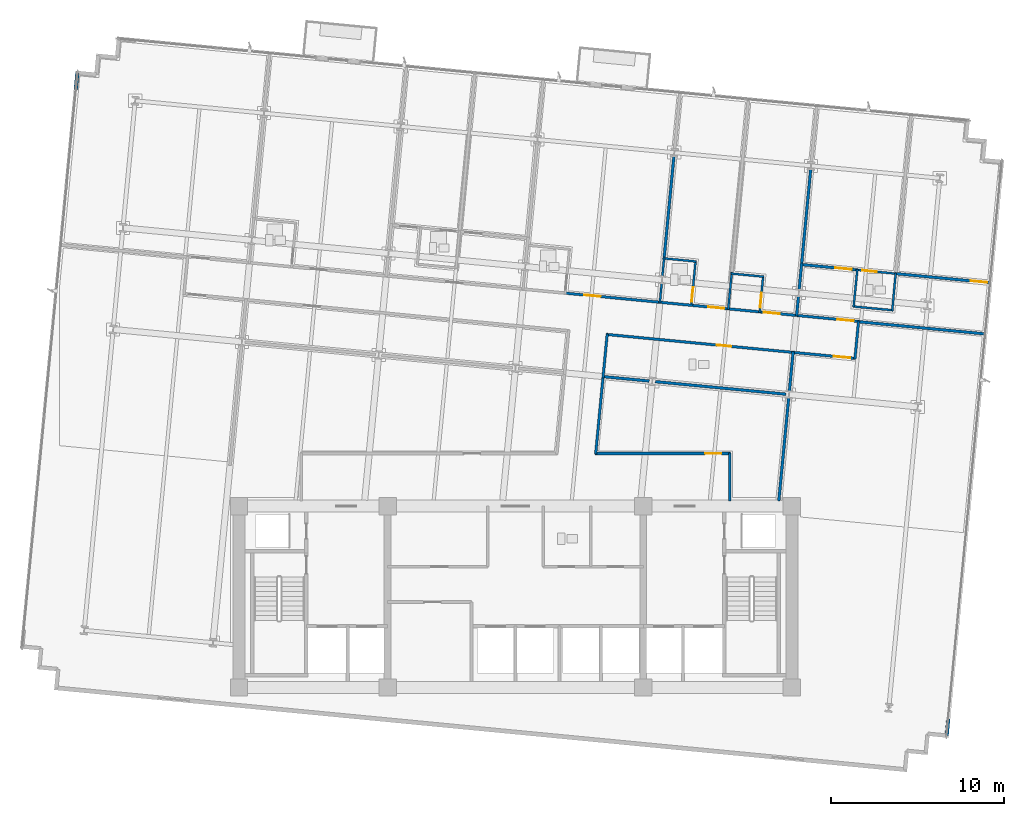
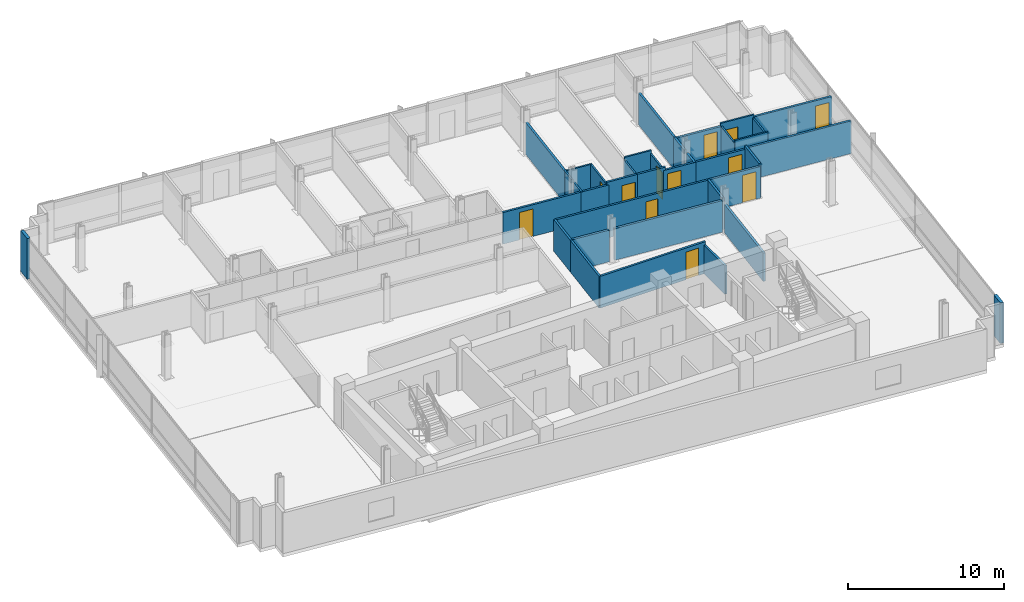
# One storey, part 12 of 17: 37 walls, 12 doors, 12 openings.
"""IFC4 building model written with IfcOpenShell, lengths in metres."""

from ifc_helpers import new_model, si_unit, direction, frame, frame_2d, origin, place, context, subcontext, project, spatial, rectangle, extrude, material, layer, layer_set, type_object, element, fill, save


model = new_model("IFC4")

# Units and contexts
model_context = context("Model", 3, precision=1e-05, world=origin(), true_north=direction((0.0, 1.0)))
body_context = subcontext(model_context, "Body", "Model", "MODEL_VIEW")
ifc_project = project(units=[si_unit("LENGTHUNIT", "METRE"), si_unit("AREAUNIT", "SQUARE_METRE"), si_unit("VOLUMEUNIT", "CUBIC_METRE"), si_unit("PLANEANGLEUNIT", "RADIAN"), si_unit("MASSUNIT", "GRAM", prefix="KILO")], contexts=[model_context])

# Site, building, storey
site_placement = place(None, origin())
site = spatial("IfcSite", under=ifc_project, at=site_placement, CompositionType="ELEMENT")
building_placement = place(site_placement, origin())
building = spatial("IfcBuilding", under=site, at=building_placement, Name="Solmavex Isthmus Hotel", CompositionType="ELEMENT")
storey_placement = place(building_placement, frame((0.0, 0.0, 146.25)))
storey = spatial("IfcBuildingStorey", under=building, at=storey_placement, Name="L39", CompositionType="ELEMENT", Elevation=146.25)

# Walls
ifc_material_1 = material(Name="Precast Concrete C40/50", Category="concrete")
ifc_layer_1 = layer(ifc_material_1, 0.25)
ifc_layer_set_1 = layer_set([ifc_layer_1], Name="Precast Concrete C40/50")
wall_type_1 = type_object("IfcWallType", Name="EW-TWR-250", PredefinedType="STANDARD", material=ifc_layer_set_1)
wall_1_placement = place(storey_placement, frame((-25.46142578125, 21.60498046875, 0.0), z_axis=(0.0, 0.0, 1.0), x_axis=(0.095937974524, 0.995387314086, 0.0)))
element("IfcWall", 1, at=wall_1_placement, inside=storey, type_object=wall_type_1, Name="Serrated Corner Facade Panel L39-07", PredefinedType="STANDARD", context=body_context, shape_type="SweptSolid", body=[
    extrude(rectangle(XDim=0.989990234375, YDim=0.219970703125, at=frame_2d((0.4951171875, 0.0))), origin(), (0.0, 0.0, 1.0), 3.18994140625),
])
wall_2_placement = place(storey_placement, frame((25.0615234375, -14.804931640625, 0.0), z_axis=(0.0, 0.0, 1.0), x_axis=(-0.095914428506, -0.995389583231, 0.0)))
element("IfcWall", 2, at=wall_2_placement, inside=storey, type_object=wall_type_1, Name="Serrated Corner Facade Panel L39-21", PredefinedType="STANDARD", context=body_context, shape_type="SweptSolid", body=[
    extrude(rectangle(XDim=0.990234375, YDim=0.219970703125, at=frame_2d((0.4951171875, 0.0))), origin(), (0.0, 0.0, 1.0), 3.18994140625),
])
ifc_material_2 = material(Name="Gypsum plasterboard lining", Category="gypsum")
ifc_layer_2 = layer(ifc_material_2, 0.159912109375)
ifc_layer_set_2 = layer_set([ifc_layer_2], Name="Gypsum plasterboard lining")
wall_type_2 = type_object("IfcWallType", Name="IW-COMP-160", PredefinedType="PARTITIONING", material=ifc_layer_set_2)
wall_3_placement = place(storey_placement, frame((9.178466796875, 17.791259765625, 0.0), z_axis=(0.0, 0.0, 1.0), x_axis=(-0.095826863488, -0.995398016993, 0.0)))
element("IfcWall", 3, at=wall_3_placement, inside=storey, type_object=wall_type_2, Name="Interior Partition Wall W-L39-P050", PredefinedType="PARTITIONING", context=body_context, shape_type="SweptSolid", body=[
    extrude(rectangle(XDim=6.055908203125, YDim=0.159912109375, at=frame_2d((3.02783203125, 0.0))), origin(), (0.0, 0.0, 1.0), 2.4794921875),
])
wall_4_placement = place(storey_placement, frame((16.389404296875, 9.6708984375, 0.0), z_axis=(0.0, 0.0, 1.0), x_axis=(-0.095811626391, -0.995399483749, 0.0)))
element("IfcWall", 4, at=wall_4_placement, inside=storey, type_object=wall_type_2, Name="Interior Partition Wall W-L39-P060", PredefinedType="PARTITIONING", context=body_context, shape_type="SweptSolid", body=[
    extrude(rectangle(XDim=1.172119140625, YDim=0.159912109375, at=frame_2d((0.5859375, 0.0))), origin(), (0.0, 0.0, 1.0), 2.4794921875),
])
wall_5_placement = place(storey_placement, frame((16.572265625, 11.570068359375, 0.0), z_axis=(0.0, 0.0, 1.0), x_axis=(-0.095867871334, -0.99539406832, 0.0)))
element("IfcWall", 5, at=wall_5_placement, inside=storey, type_object=wall_type_2, Name="Interior Partition Wall W-L39-P061", PredefinedType="PARTITIONING", context=body_context, shape_type="SweptSolid", body=[
    extrude(rectangle(XDim=1.555908203125, YDim=0.159912109375, at=frame_2d((0.77783203125, 0.0))), origin(), (0.0, 0.0, 1.0), 2.4794921875),
])
wall_6_placement = place(storey_placement, frame((17.097900390625, 17.02880859375, 0.0), z_axis=(0.0, 0.0, 1.0), x_axis=(-0.095831010877, -0.995397617716, 0.0)))
element("IfcWall", 6, at=wall_6_placement, inside=storey, type_object=wall_type_2, Name="Interior Partition Wall W-L39-P062", PredefinedType="PARTITIONING", context=body_context, shape_type="SweptSolid", body=[
    extrude(rectangle(XDim=5.64794921875, YDim=0.159912109375, at=frame_2d((2.823974609375, 0.0))), origin(), (0.0, 0.0, 1.0), 2.4794921875),
])

# Wall, opening, door
wall_7_placement = place(storey_placement, frame((16.524658203125, 11.4921875, 0.0), z_axis=(0.0, 0.0, 1.0), x_axis=(0.995395561935, -0.095852361889, 0.0)))
wall_7 = element("IfcWall", 7, at=wall_7_placement, inside=storey, type_object=wall_type_2, Name="Interior Partition Wall W-L39-P064", PredefinedType="PARTITIONING", context=body_context, shape_type="SweptSolid", body=[
    extrude(rectangle(XDim=3.323974609375, YDim=0.159912109375, at=frame_2d((1.662109375, 0.0))), origin(), (0.0, 0.0, 1.0), 2.4794921875),
])
opening_1_placement = place(wall_7_placement, frame((2.00439453125, 0.0, 0.0)))
opening_1 = element("IfcOpeningElement", 8, at=opening_1_placement, cuts=wall_7, Name="Opening ID-C095", PredefinedType="OPENING", context=body_context, shape_type="SweptSolid", body=[
    extrude(rectangle(XDim=0.949951171875, YDim=2.14990234375, at=frame_2d((0.47509765625, 1.074951171875))), frame((0.0, 0.08984375, 0.0), z_axis=(0.0, -1.0, 0.0), x_axis=(1.0, 0.0, 0.0)), (0.0, 0.0, 1.0), 0.179931640625),
])
ifc_material_3 = material(Name="Hardwood timber", Category="wood")
door_type_1 = type_object("IfcDoorType", Name="IDR-FD60-0950", OperationType="NOTDEFINED", PredefinedType="DOOR", material=ifc_material_3)
door_1_placement = place(opening_1_placement, origin())
door_1 = element("IfcDoor", 9, at=door_1_placement, inside=storey, type_object=door_type_1, Name="Diplomatic Hospitality Suite Bedroom Door L39-15", OperationType="SINGLE_SWING_LEFT", OverallHeight=2.14990234375, OverallWidth=0.949951171875, PredefinedType="DOOR", context=body_context, shape_type="SweptSolid", body=[
    extrude(rectangle(XDim=0.949951171875, YDim=2.14990234375, at=frame_2d((0.47509765625, 1.074951171875))), frame((0.0, 0.02490234375, 0.0), z_axis=(0.0, -1.0, 0.0), x_axis=(1.0, 0.0, 0.0)), (0.0, 0.0, 1.0), 0.050048828125),
])
fill(opening_1, door_1)

wall_8_placement = place(storey_placement, frame((21.973388671875, 10.967529296875, 0.0), z_axis=(0.0, 0.0, 1.0), x_axis=(0.99539730528, -0.095834256092, 0.0)))
wall_8 = element("IfcWall", 10, at=wall_8_placement, inside=storey, type_object=wall_type_2, Name="Interior Partition Wall W-L39-P065", PredefinedType="PARTITIONING", context=body_context, shape_type="SweptSolid", body=[
    extrude(rectangle(XDim=5.573974609375, YDim=0.159912109375, at=frame_2d((2.787109375, 0.0))), origin(), (0.0, 0.0, 1.0), 2.5576171875),
])
opening_2_placement = place(wall_8_placement, frame((4.4140625, 0.0, 0.0)))
opening_2 = element("IfcOpeningElement", 11, at=opening_2_placement, cuts=wall_8, Name="Opening ID-C095", PredefinedType="OPENING", context=body_context, shape_type="SweptSolid", body=[
    extrude(rectangle(XDim=0.949951171875, YDim=2.14990234375, at=frame_2d((0.47509765625, 1.074951171875))), frame((0.0, 0.08984375, 0.0), z_axis=(0.0, -1.0, 0.0), x_axis=(1.0, 0.0, 0.0)), (0.0, 0.0, 1.0), 0.179931640625),
])
door_2_placement = place(opening_2_placement, origin())
door_2 = element("IfcDoor", 12, at=door_2_placement, inside=storey, type_object=door_type_1, Name="Diplomatic Hospitality Suite Sitting Lounge Door L39-16", OperationType="SINGLE_SWING_RIGHT", OverallHeight=2.14990234375, OverallWidth=0.949951171875, PredefinedType="DOOR", context=body_context, shape_type="SweptSolid", body=[
    extrude(rectangle(XDim=0.949951171875, YDim=2.14990234375, at=frame_2d((0.47509765625, 1.074951171875))), frame((0.0, 0.02490234375, 0.0), z_axis=(0.0, -1.0, 0.0), x_axis=(1.0, 0.0, 0.0)), (0.0, 0.0, 1.0), 0.050048828125),
])
fill(opening_2, door_2)

# Walls
wall_9_placement = place(storey_placement, frame((27.236328125, 7.468994140625, 0.0), z_axis=(0.0, 0.0, 1.0), x_axis=(-0.995396228159, 0.095845443117, 0.0)))
element("IfcWall", 13, at=wall_9_placement, inside=storey, type_object=wall_type_2, Name="Interior Partition Wall W-L39-P069", PredefinedType="PARTITIONING", context=body_context, shape_type="SweptSolid", body=[
    extrude(rectangle(XDim=7.447998046875, YDim=0.159912109375, at=frame_2d((3.72412109375, 0.0))), origin(), (0.0, 0.0, 1.0), 2.5576171875),
])
wall_10_placement = place(storey_placement, frame((7.745361328125, 4.74462890625, 0.0), z_axis=(0.0, 0.0, 1.0), x_axis=(-0.995392910691, 0.095879890208, 0.0)))
element("IfcWall", 14, at=wall_10_placement, inside=storey, type_object=wall_type_2, Name="Interior Partition Wall W-L39-P072", PredefinedType="PARTITIONING", context=body_context, shape_type="SweptSolid", body=[
    extrude(rectangle(XDim=2.721923828125, YDim=0.159912109375, at=frame_2d((1.36083984375, 0.0))), origin(), (0.0, 0.0, 1.0), 2.4794921875),
])
wall_11_placement = place(storey_placement, frame((15.664794921875, 3.982177734375, 0.0), z_axis=(0.0, 0.0, 1.0), x_axis=(-0.995396667246, 0.095840882902, 0.0)))
element("IfcWall", 15, at=wall_11_placement, inside=storey, type_object=wall_type_2, Name="Interior Partition Wall W-L39-P073", PredefinedType="PARTITIONING", context=body_context, shape_type="SweptSolid", body=[
    extrude(rectangle(XDim=7.603759765625, YDim=0.159912109375, at=frame_2d((3.8017578125, 0.0))), origin(), (0.0, 0.0, 1.0), 2.4794921875),
])
wall_12_placement = place(storey_placement, frame((16.07861328125, 6.44384765625, 0.0), z_axis=(0.0, 0.0, 1.0), x_axis=(-0.095794827695, -0.995401100555, 0.0)))
element("IfcWall", 16, at=wall_12_placement, inside=storey, type_object=wall_type_2, Name="Interior Partition Wall W-L39-P074", PredefinedType="PARTITIONING", context=body_context, shape_type="SweptSolid", body=[
    extrude(rectangle(XDim=2.314208984375, YDim=0.159912109375, at=frame_2d((1.1572265625, 0.0))), origin(), (0.0, 0.0, 1.0), 2.4794921875),
])
wall_13_placement = place(storey_placement, frame((15.8232421875, 3.7900390625, 0.0), z_axis=(0.0, 0.0, 1.0), x_axis=(-0.095865726078, -0.99539427493, 0.0)))
element("IfcWall", 17, at=wall_13_placement, inside=storey, type_object=wall_type_2, Name="Interior Partition Wall W-L39-P079", PredefinedType="PARTITIONING", context=body_context, shape_type="SweptSolid", body=[
    extrude(rectangle(XDim=6.007568359375, YDim=0.159912109375, at=frame_2d((3.00390625, 0.0))), origin(), (0.0, 0.0, 1.0), 2.22509765625),
])

# Wall, opening, door
ifc_layer_3 = layer(ifc_material_2, 0.14990234375)
ifc_layer_set_3 = layer_set([ifc_layer_3], Name="Gypsum plasterboard lining")
wall_type_3 = type_object("IfcWallType", Name="IW-CORR-150", PredefinedType="PARTITIONING", material=ifc_layer_set_3)
wall_14_placement = place(storey_placement, frame((2.79931640625, 9.84228515625, 0.0), z_axis=(0.0, 0.0, 1.0), x_axis=(0.995395844771, -0.095849424686, 0.0)))
wall_14 = element("IfcWall", 18, at=wall_14_placement, inside=storey, type_object=wall_type_3, Name="Interior Partition Wall W-L39-P005", PredefinedType="PARTITIONING", context=body_context, shape_type="SweptSolid", body=[
    extrude(rectangle(XDim=5.669921875, YDim=0.14990234375, at=frame_2d((2.8349609375, 0.0))), origin(), (0.0, 0.0, 1.0), 2.4794921875),
])
opening_3_placement = place(wall_14_placement, frame((1.18603515625, 0.0, 0.0)))
opening_3 = element("IfcOpeningElement", 19, at=opening_3_placement, cuts=wall_14, Name="Opening ID-C095", PredefinedType="OPENING", context=body_context, shape_type="SweptSolid", body=[
    extrude(rectangle(XDim=0.949951171875, YDim=2.14990234375, at=frame_2d((0.47509765625, 1.074951171875))), frame((0.0, 0.0849609375, 0.0), z_axis=(0.0, -1.0, 0.0), x_axis=(1.0, 0.0, 0.0)), (0.0, 0.0, 1.0), 0.169921875),
])
door_3_placement = place(opening_3_placement, frame((0.949951171875, 0.0, 0.0), z_axis=(0.0, 0.0, 1.0), x_axis=(-1.0, 0.0, 0.0)))
door_3 = element("IfcDoor", 20, at=door_3_placement, inside=storey, type_object=door_type_1, Name="Diplomatic Suite Door L39-08", OperationType="SINGLE_SWING_RIGHT", OverallHeight=2.14990234375, OverallWidth=0.949951171875, PredefinedType="DOOR", context=body_context, shape_type="SweptSolid", body=[
    extrude(rectangle(XDim=0.949951171875, YDim=2.14990234375, at=frame_2d((0.47509765625, 1.074951171875))), frame((0.0, 0.02490234375, 0.0), z_axis=(0.0, -1.0, 0.0), x_axis=(1.0, 0.0, 0.0)), (0.0, 0.0, 1.0), 0.050048828125),
])
fill(opening_3, door_3)

wall_15_placement = place(storey_placement, frame((10.101318359375, 9.13916015625, 0.0), z_axis=(0.0, 0.0, 1.0), x_axis=(0.995393345625, -0.095875374756, 0.0)))
wall_15 = element("IfcWall", 21, at=wall_15_placement, inside=storey, type_object=wall_type_3, Name="Interior Partition Wall W-L39-P007", PredefinedType="PARTITIONING", context=body_context, shape_type="SweptSolid", body=[
    extrude(rectangle(XDim=2.312255859375, YDim=0.14990234375, at=frame_2d((1.15625, 0.0))), origin(), (0.0, 0.0, 1.0), 2.718017578125),
])
opening_4_placement = place(wall_15_placement, frame((1.05615234375, 0.0, 0.0)))
opening_4 = element("IfcOpeningElement", 22, at=opening_4_placement, cuts=wall_15, Name="Opening ID-C095", PredefinedType="OPENING", context=body_context, shape_type="SweptSolid", body=[
    extrude(rectangle(XDim=0.949951171875, YDim=2.14990234375, at=frame_2d((0.47509765625, 1.074951171875))), frame((0.0, 0.0849609375, 0.0), z_axis=(0.0, -1.0, 0.0), x_axis=(1.0, 0.0, 0.0)), (0.0, 0.0, 1.0), 0.169921875),
])
door_4_placement = place(opening_4_placement, frame((0.949951171875, 0.0, 0.0), z_axis=(0.0, 0.0, 1.0), x_axis=(-1.0, 0.0, 0.0)))
door_4 = element("IfcDoor", 23, at=door_4_placement, inside=storey, type_object=door_type_1, Name="Junior Suite Door L39-10", OperationType="SINGLE_SWING_RIGHT", OverallHeight=2.14990234375, OverallWidth=0.949951171875, PredefinedType="DOOR", context=body_context, shape_type="SweptSolid", body=[
    extrude(rectangle(XDim=0.949951171875, YDim=2.14990234375, at=frame_2d((0.47509765625, 1.074951171875))), frame((0.0, 0.02490234375, 0.0), z_axis=(0.0, -1.0, 0.0), x_axis=(1.0, 0.0, 0.0)), (0.0, 0.0, 1.0), 0.050048828125),
])
fill(opening_4, door_4)

# Wall
wall_16_placement = place(storey_placement, frame((8.280029296875, 9.314453125, 0.0), z_axis=(0.0, 0.0, 1.0), x_axis=(0.995393086543, -0.095878064554, 0.0)))
element("IfcWall", 24, at=wall_16_placement, inside=storey, type_object=wall_type_3, Name="Interior Partition Wall W-L39-P008", PredefinedType="PARTITIONING", context=body_context, shape_type="SweptSolid", body=[
    extrude(rectangle(XDim=1.993896484375, YDim=0.14990234375, at=frame_2d((0.9970703125, 0.0))), origin(), (0.0, 0.0, 1.0), 2.4794921875),
])

# Wall, opening, door
wall_17_placement = place(storey_placement, frame((14.06103515625, 8.7578125, 0.0), z_axis=(0.0, 0.0, 1.0), x_axis=(0.995393345625, -0.095875374756, 0.0)))
wall_17 = element("IfcWall", 25, at=wall_17_placement, inside=storey, type_object=wall_type_3, Name="Interior Partition Wall W-L39-P009", PredefinedType="PARTITIONING", context=body_context, shape_type="SweptSolid", body=[
    extrude(rectangle(XDim=2.312255859375, YDim=0.14990234375, at=frame_2d((1.15625, 0.0))), origin(), (0.0, 0.0, 1.0), 2.4794921875),
])
opening_5_placement = place(wall_17_placement, frame((0.30615234375, 0.0, 0.0)))
opening_5 = element("IfcOpeningElement", 26, at=opening_5_placement, cuts=wall_17, Name="Opening ID-C095", PredefinedType="OPENING", context=body_context, shape_type="SweptSolid", body=[
    extrude(rectangle(XDim=0.949951171875, YDim=2.14990234375, at=frame_2d((0.47509765625, 1.074951171875))), frame((0.0, 0.0849609375, 0.0), z_axis=(0.0, -1.0, 0.0), x_axis=(1.0, 0.0, 0.0)), (0.0, 0.0, 1.0), 0.169921875),
])
door_5_placement = place(opening_5_placement, frame((0.949951171875, 0.0, 0.0), z_axis=(0.0, 0.0, 1.0), x_axis=(-1.0, 0.0, 0.0)))
door_5 = element("IfcDoor", 27, at=door_5_placement, inside=storey, type_object=door_type_1, Name="Deluxe Twin Room Door L39-12", OperationType="SINGLE_SWING_RIGHT", OverallHeight=2.14990234375, OverallWidth=0.949951171875, PredefinedType="DOOR", context=body_context, shape_type="SweptSolid", body=[
    extrude(rectangle(XDim=0.949951171875, YDim=2.14990234375, at=frame_2d((0.47509765625, 1.074951171875))), frame((0.0, 0.02490234375, 0.0), z_axis=(0.0, -1.0, 0.0), x_axis=(1.0, 0.0, 0.0)), (0.0, 0.0, 1.0), 0.050048828125),
])
fill(opening_5, door_5)

# Wall
wall_18_placement = place(storey_placement, frame((12.239501953125, 8.93310546875, 0.0), z_axis=(0.0, 0.0, 1.0), x_axis=(0.995405888026, -0.095745068196, 0.0)))
element("IfcWall", 28, at=wall_18_placement, inside=storey, type_object=wall_type_3, Name="Interior Partition Wall W-L39-P010", PredefinedType="PARTITIONING", context=body_context, shape_type="SweptSolid", body=[
    extrude(rectangle(XDim=1.994140625, YDim=0.14990234375, at=frame_2d((0.9970703125, 0.0))), origin(), (0.0, 0.0, 1.0), 2.718017578125),
])

# Wall, opening, door
wall_19_placement = place(storey_placement, frame((16.19921875, 8.552001953125, 0.0), z_axis=(0.0, 0.0, 1.0), x_axis=(0.995391104887, -0.095898635608, 0.0)))
wall_19 = element("IfcWall", 29, at=wall_19_placement, inside=storey, type_object=wall_type_3, Name="Interior Partition Wall W-L39-P011", PredefinedType="PARTITIONING", context=body_context, shape_type="SweptSolid", body=[
    extrude(rectangle(XDim=3.721923828125, YDim=0.14990234375, at=frame_2d((1.86083984375, 0.0))), origin(), (0.0, 0.0, 1.0), 2.4794921875),
])
opening_6_placement = place(wall_19_placement, frame((2.456787109375, 0.0, 0.0)))
opening_6 = element("IfcOpeningElement", 30, at=opening_6_placement, cuts=wall_19, Name="Opening ID-C095", PredefinedType="OPENING", context=body_context, shape_type="SweptSolid", body=[
    extrude(rectangle(XDim=0.949951171875, YDim=2.14990234375, at=frame_2d((0.47509765625, 1.074951171875))), frame((0.0, 0.0849609375, 0.0), z_axis=(0.0, -1.0, 0.0), x_axis=(1.0, 0.0, 0.0)), (0.0, 0.0, 1.0), 0.169921875),
])
door_6_placement = place(opening_6_placement, frame((0.949951171875, 0.0, 0.0), z_axis=(0.0, 0.0, 1.0), x_axis=(-1.0, 0.0, 0.0)))
door_6 = element("IfcDoor", 31, at=door_6_placement, inside=storey, type_object=door_type_1, Name="Diplomatic Hospitality Suite Reception Foyer Door L39-14", OperationType="SINGLE_SWING_RIGHT", OverallHeight=2.14990234375, OverallWidth=0.949951171875, PredefinedType="DOOR", context=body_context, shape_type="SweptSolid", body=[
    extrude(rectangle(XDim=0.949951171875, YDim=2.14990234375, at=frame_2d((0.47509765625, 1.074951171875))), frame((0.0, 0.02490234375, 0.0), z_axis=(0.0, -1.0, 0.0), x_axis=(1.0, 0.0, 0.0)), (0.0, 0.0, 1.0), 0.050048828125),
])
fill(opening_6, door_6)

wall_20_placement = place(storey_placement, frame((16.156494140625, 6.39599609375, 0.0), z_axis=(0.0, 0.0, 1.0), x_axis=(-0.99539478422, 0.095860437863, 0.0)))
wall_20 = element("IfcWall", 32, at=wall_20_placement, inside=storey, type_object=wall_type_3, Name="Interior Partition Wall W-L39-P012", PredefinedType="PARTITIONING", context=body_context, shape_type="SweptSolid", body=[
    extrude(rectangle(XDim=10.93603515625, YDim=0.14990234375, at=frame_2d((5.468017578125, 0.0))), origin(), (0.0, 0.0, 1.0), 2.4794921875),
])
opening_7_placement = place(wall_20_placement, frame((3.675048828125, 0.0, 0.0)))
opening_7 = element("IfcOpeningElement", 33, at=opening_7_placement, cuts=wall_20, Name="Opening ID-R085", PredefinedType="OPENING", context=body_context, shape_type="SweptSolid", body=[
    extrude(rectangle(XDim=0.85009765625, YDim=2.050048828125, at=frame_2d((0.425048828125, 1.02490234375))), frame((0.0, 0.0849609375, 0.0), z_axis=(0.0, -1.0, 0.0), x_axis=(1.0, 0.0, 0.0)), (0.0, 0.0, 1.0), 0.169921875),
])
ifc_material_4 = material(Name="Steel ASTM A500 Grade C", Category="steel")
door_type_2 = type_object("IfcDoorType", Name="IDR-FD60-0850", OperationType="NOTDEFINED", PredefinedType="DOOR", material=ifc_material_4)
door_7_placement = place(opening_7_placement, frame((0.85009765625, 0.0, 0.0), z_axis=(0.0, 0.0, 1.0), x_axis=(-1.0, 0.0, 0.0)))
door_7 = element("IfcDoor", 34, at=door_7_placement, inside=storey, type_object=door_type_2, Name="Accessible Public Restroom WC Door L39-18", OperationType="SINGLE_SWING_RIGHT", OverallHeight=2.050048828125, OverallWidth=0.85009765625, PredefinedType="DOOR", context=body_context, shape_type="SweptSolid", body=[
    extrude(rectangle(XDim=0.85009765625, YDim=2.050048828125, at=frame_2d((0.425048828125, 1.02490234375))), frame((0.0, 0.02490234375, 0.0), z_axis=(0.0, -1.0, 0.0), x_axis=(1.0, 0.0, 0.0)), (0.0, 0.0, 1.0), 0.050048828125),
])
fill(opening_7, door_7)

# Walls
wall_21_placement = place(storey_placement, frame((5.314453125, 7.480224609375, 0.0), z_axis=(0.0, 0.0, 1.0), x_axis=(-0.09587519517, -0.995393362923, 0.0)))
element("IfcWall", 35, at=wall_21_placement, inside=storey, type_object=wall_type_3, Name="Interior Partition Wall W-L39-P013", PredefinedType="PARTITIONING", context=body_context, shape_type="SweptSolid", body=[
    extrude(rectangle(XDim=2.572021484375, YDim=0.14990234375, at=frame_2d((1.2861328125, 0.0))), origin(), (0.0, 0.0, 1.0), 2.4794921875),
])
wall_22_placement = place(storey_placement, frame((5.083740234375, 5.083251953125, 0.0), z_axis=(0.0, 0.0, 1.0), x_axis=(-0.095867331855, -0.995394120277, 0.0)))
element("IfcWall", 36, at=wall_22_placement, inside=storey, type_object=wall_type_3, Name="Interior Partition Wall W-L39-P016", PredefinedType="PARTITIONING", context=body_context, shape_type="SweptSolid", body=[
    extrude(rectangle(XDim=4.59423828125, YDim=0.14990234375, at=frame_2d((2.297119140625, 0.0))), origin(), (0.0, 0.0, 1.0), 2.4794921875),
])

# Wall, opening, door
wall_23_placement = place(storey_placement, frame((4.607177734375, 0.550048828125, 0.0), z_axis=(0.0, 0.0, 1.0), x_axis=(1.0, 0.0, 0.0)))
wall_23 = element("IfcWall", 37, at=wall_23_placement, inside=storey, type_object=wall_type_3, Name="Interior Partition Wall W-L39-P017", PredefinedType="PARTITIONING", context=body_context, shape_type="SweptSolid", body=[
    extrude(rectangle(XDim=7.832763671875, YDim=0.14990234375, at=frame_2d((3.91650390625, 0.0))), origin(), (0.0, 0.0, 1.0), 2.4794921875),
])
opening_8_placement = place(wall_23_placement, frame((6.3720703125, 0.0, 0.0)))
opening_8 = element("IfcOpeningElement", 38, at=opening_8_placement, cuts=wall_23, Name="Opening ID-C095", PredefinedType="OPENING", context=body_context, shape_type="SweptSolid", body=[
    extrude(rectangle(XDim=0.949951171875, YDim=2.14990234375, at=frame_2d((0.47509765625, 1.074951171875))), frame((0.0, 0.0849609375, 0.0), z_axis=(0.0, -1.0, 0.0), x_axis=(1.0, 0.0, 0.0)), (0.0, 0.0, 1.0), 0.169921875),
])
door_8_placement = place(opening_8_placement, origin())
door_8 = element("IfcDoor", 39, at=door_8_placement, inside=storey, type_object=door_type_1, Name="Tea Ceremony Lounge Door L39-20", OperationType="SINGLE_SWING_RIGHT", OverallHeight=2.14990234375, OverallWidth=0.949951171875, PredefinedType="DOOR", context=body_context, shape_type="SweptSolid", body=[
    extrude(rectangle(XDim=0.949951171875, YDim=2.14990234375, at=frame_2d((0.47509765625, 1.074951171875))), frame((0.0, 0.02490234375, 0.0), z_axis=(0.0, -1.0, 0.0), x_axis=(1.0, 0.0, 0.0)), (0.0, 0.0, 1.0), 0.050048828125),
])
fill(opening_8, door_8)

# Walls
wall_24_placement = place(storey_placement, frame((12.39990234375, 0.590087890625, 0.0), z_axis=(0.0, 0.0, 1.0), x_axis=(0.0, -1.0, 0.0)))
element("IfcWall", 40, at=wall_24_placement, inside=storey, type_object=wall_type_3, Name="Interior Partition Wall W-L39-P018", PredefinedType="PARTITIONING", context=body_context, shape_type="SweptSolid", body=[
    extrude(rectangle(XDim=2.780029296875, YDim=0.14990234375, at=frame_2d((1.39013671875, 0.0))), origin(), (0.0, 0.0, 1.0), 2.22509765625),
])
wall_25_placement = place(storey_placement, frame((19.8662109375, 8.218994140625, 0.0), z_axis=(0.0, 0.0, 1.0), x_axis=(-0.095773447772, -0.995403157872, 0.0)))
element("IfcWall", 41, at=wall_25_placement, inside=storey, type_object=wall_type_3, Name="Interior Partition Wall W-L39-P019", PredefinedType="PARTITIONING", context=body_context, shape_type="SweptSolid", body=[
    extrude(rectangle(XDim=2.210205078125, YDim=0.14990234375, at=frame_2d((1.10498046875, 0.0))), origin(), (0.0, 0.0, 1.0), 2.718017578125),
])

# Wall, opening, door
wall_26_placement = place(storey_placement, frame((19.697998046875, 6.05517578125, 0.0), z_axis=(0.0, 0.0, 1.0), x_axis=(-0.995397364202, 0.095833644092, 0.0)))
wall_26 = element("IfcWall", 42, at=wall_26_placement, inside=storey, type_object=wall_type_3, Name="Interior Partition Wall W-L39-P020", PredefinedType="PARTITIONING", context=body_context, shape_type="SweptSolid", body=[
    extrude(rectangle(XDim=3.721923828125, YDim=0.14990234375, at=frame_2d((1.86083984375, 0.0))), origin(), (0.0, 0.0, 1.0), 2.4794921875),
])
opening_9_placement = place(wall_26_placement, frame((0.315185546875, 0.0, 0.0)))
opening_9 = element("IfcOpeningElement", 43, at=opening_9_placement, cuts=wall_26, Name="Opening ID-C095", PredefinedType="OPENING", context=body_context, shape_type="SweptSolid", body=[
    extrude(rectangle(XDim=0.949951171875, YDim=2.14990234375, at=frame_2d((0.47509765625, 1.074951171875))), frame((0.0, 0.0849609375, 0.0), z_axis=(0.0, -1.0, 0.0), x_axis=(1.0, 0.0, 0.0)), (0.0, 0.0, 1.0), 0.169921875),
])
door_9_placement = place(opening_9_placement, frame((0.949951171875, 0.0, 0.0), z_axis=(0.0, 0.0, 1.0), x_axis=(-1.0, 0.0, 0.0)))
door_9 = element("IfcDoor", 44, at=door_9_placement, inside=storey, type_object=door_type_1, Name="Executive Hospitality Lounge Door L39-21", OperationType="SINGLE_SWING_LEFT", OverallHeight=2.14990234375, OverallWidth=0.949951171875, PredefinedType="DOOR", context=body_context, shape_type="SweptSolid", body=[
    extrude(rectangle(XDim=0.949951171875, YDim=2.14990234375, at=frame_2d((0.47509765625, 1.074951171875))), frame((0.0, 0.02490234375, 0.0), z_axis=(0.0, -1.0, 0.0), x_axis=(1.0, 0.0, 0.0)), (0.0, 0.0, 1.0), 0.050048828125),
])
fill(opening_9, door_9)

# Walls
ifc_layer_4 = layer(ifc_material_2, 0.1201171875)
ifc_layer_set_4 = layer_set([ifc_layer_4], Name="Gypsum plasterboard lining")
wall_type_4 = type_object("IfcWallType", Name="IW-PART-120", PredefinedType="PARTITIONING", material=ifc_layer_set_4)
wall_27_placement = place(storey_placement, frame((8.469970703125, 10.433349609375, 0.0), z_axis=(0.0, 0.0, 1.0), x_axis=(-0.095831494917, -0.995397571115, 0.0)))
element("IfcWall", 45, at=wall_27_placement, inside=storey, type_object=wall_type_4, Name="Interior Partition Wall W-L39-P052", PredefinedType="PARTITIONING", context=body_context, shape_type="SweptSolid", body=[
    extrude(rectangle(XDim=1.171875, YDim=0.1201171875, at=frame_2d((0.5859375, 0.0))), origin(), (0.0, 0.0, 1.0), 2.4794921875),
])
wall_28_placement = place(storey_placement, frame((8.61376953125, 11.926513671875, 0.0), z_axis=(0.0, 0.0, 1.0), x_axis=(-0.09590284245, -0.99539069958, 0.0)))
element("IfcWall", 46, at=wall_28_placement, inside=storey, type_object=wall_type_4, Name="Interior Partition Wall W-L39-P053", PredefinedType="PARTITIONING", context=body_context, shape_type="SweptSolid", body=[
    extrude(rectangle(XDim=1.148193359375, YDim=0.1201171875, at=frame_2d((0.57421875, 0.0))), origin(), (0.0, 0.0, 1.0), 2.4794921875),
])

# Wall, opening, door
wall_29_placement = place(storey_placement, frame((10.17919921875, 9.09130859375, 0.0), z_axis=(0.0, 0.0, 1.0), x_axis=(0.095799078022, 0.995400691506, 0.0)))
wall_29 = element("IfcWall", 47, at=wall_29_placement, inside=storey, type_object=wall_type_4, Name="Interior Partition Wall W-L39-P054", PredefinedType="PARTITIONING", context=body_context, shape_type="SweptSolid", body=[
    extrude(rectangle(XDim=2.630126953125, YDim=0.1201171875, at=frame_2d((1.31494140625, 0.0))), origin(), (0.0, 0.0, 1.0), 2.4794921875),
])
opening_10_placement = place(wall_29_placement, frame((0.247314453125, 0.0, 0.0)))
opening_10 = element("IfcOpeningElement", 48, at=opening_10_placement, cuts=wall_29, Name="Opening ID-U085", PredefinedType="OPENING", context=body_context, shape_type="SweptSolid", body=[
    extrude(rectangle(XDim=0.85009765625, YDim=2.10009765625, at=frame_2d((0.425048828125, 1.050048828125))), frame((0.0, 0.070068359375, 0.0), z_axis=(0.0, -1.0, 0.0), x_axis=(1.0, 0.0, 0.0)), (0.0, 0.0, 1.0), 0.14013671875),
])
door_type_3 = type_object("IfcDoorType", Name="IDR-UNR-0850", OperationType="NOTDEFINED", PredefinedType="DOOR", material=ifc_material_3)
door_10_placement = place(opening_10_placement, frame((0.85009765625, 0.0, 0.0), z_axis=(0.0, 0.0, 1.0), x_axis=(-1.0, 0.0, 0.0)))
door_10 = element("IfcDoor", 49, at=door_10_placement, inside=storey, type_object=door_type_3, Name="En-suite Bathroom Door L39-11", OperationType="SINGLE_SWING_LEFT", OverallHeight=2.10009765625, OverallWidth=0.85009765625, PredefinedType="DOOR", context=body_context, shape_type="SweptSolid", body=[
    extrude(rectangle(XDim=0.85009765625, YDim=2.10009765625, at=frame_2d((0.425048828125, 1.050048828125))), frame((0.0, 0.02490234375, 0.0), z_axis=(0.0, -1.0, 0.0), x_axis=(1.0, 0.0, 0.0)), (0.0, 0.0, 1.0), 0.050048828125),
])
fill(opening_10, door_10)

# Walls
wall_30_placement = place(storey_placement, frame((10.46728515625, 11.665771484375, 0.0), z_axis=(0.0, 0.0, 1.0), x_axis=(-0.995405983929, 0.095744071139, 0.0)))
element("IfcWall", 50, at=wall_30_placement, inside=storey, type_object=wall_type_4, Name="Interior Partition Wall W-L39-P055", PredefinedType="PARTITIONING", context=body_context, shape_type="SweptSolid", body=[
    extrude(rectangle(XDim=1.909912109375, YDim=0.1201171875, at=frame_2d((0.955078125, 0.0))), origin(), (0.0, 0.0, 1.0), 2.4794921875),
])
wall_31_placement = place(storey_placement, frame((12.525634765625, 11.047607421875, 0.0), z_axis=(0.0, 0.0, 1.0), x_axis=(-0.095875173929, -0.995393364969, 0.0)))
element("IfcWall", 51, at=wall_31_placement, inside=storey, type_object=wall_type_4, Name="Interior Partition Wall W-L39-P057", PredefinedType="PARTITIONING", context=body_context, shape_type="SweptSolid", body=[
    extrude(rectangle(XDim=2.172119140625, YDim=0.1201171875, at=frame_2d((1.0859375, 0.0))), origin(), (0.0, 0.0, 1.0), 2.4794921875),
])

# Wall, opening, door
wall_32_placement = place(storey_placement, frame((14.138916015625, 8.710205078125, 0.0), z_axis=(0.0, 0.0, 1.0), x_axis=(0.095825980341, 0.995398102013, 0.0)))
wall_32 = element("IfcWall", 52, at=wall_32_placement, inside=storey, type_object=wall_type_4, Name="Interior Partition Wall W-L39-P058", PredefinedType="PARTITIONING", context=body_context, shape_type="SweptSolid", body=[
    extrude(rectangle(XDim=2.1298828125, YDim=0.1201171875, at=frame_2d((1.06494140625, 0.0))), origin(), (0.0, 0.0, 1.0), 2.4794921875),
])
opening_11_placement = place(wall_32_placement, frame((0.295654296875, 0.0, 0.0)))
opening_11 = element("IfcOpeningElement", 53, at=opening_11_placement, cuts=wall_32, Name="Opening ID-U085", PredefinedType="OPENING", context=body_context, shape_type="SweptSolid", body=[
    extrude(rectangle(XDim=0.85009765625, YDim=2.10009765625, at=frame_2d((0.425048828125, 1.050048828125))), frame((0.0, 0.070068359375, 0.0), z_axis=(0.0, -1.0, 0.0), x_axis=(1.0, 0.0, 0.0)), (0.0, 0.0, 1.0), 0.14013671875),
])
door_11_placement = place(opening_11_placement, origin())
door_11 = element("IfcDoor", 54, at=door_11_placement, inside=storey, type_object=door_type_3, Name="En-suite Bathroom Door L39-13", OperationType="SINGLE_SWING_LEFT", OverallHeight=2.10009765625, OverallWidth=0.85009765625, PredefinedType="DOOR", context=body_context, shape_type="SweptSolid", body=[
    extrude(rectangle(XDim=0.85009765625, YDim=2.10009765625, at=frame_2d((0.425048828125, 1.050048828125))), frame((0.0, 0.02490234375, 0.0), z_axis=(0.0, -1.0, 0.0), x_axis=(1.0, 0.0, 0.0)), (0.0, 0.0, 1.0), 0.050048828125),
])
fill(opening_11, door_11)

# Walls
wall_33_placement = place(storey_placement, frame((14.37890625, 10.78662109375, 0.0), z_axis=(0.0, 0.0, 1.0), x_axis=(-0.995393793358, 0.095870726213, 0.0)))
element("IfcWall", 55, at=wall_33_placement, inside=storey, type_object=wall_type_4, Name="Interior Partition Wall W-L39-P059", PredefinedType="PARTITIONING", context=body_context, shape_type="SweptSolid", body=[
    extrude(rectangle(XDim=1.909912109375, YDim=0.1201171875, at=frame_2d((0.955078125, 0.0))), origin(), (0.0, 0.0, 1.0), 2.718017578125),
])
wall_34_placement = place(storey_placement, frame((19.797607421875, 11.21728515625, 0.0), z_axis=(0.0, 0.0, 1.0), x_axis=(-0.100620321887, -0.994924897077, 0.0)))
element("IfcWall", 56, at=wall_34_placement, inside=storey, type_object=wall_type_4, Name="Interior Partition Wall W-L39-P066", PredefinedType="PARTITIONING", context=body_context, shape_type="SweptSolid", body=[
    extrude(rectangle(XDim=2.2080078125, YDim=0.1201171875, at=frame_2d((1.10400390625, 0.0))), origin(), (0.0, 0.0, 1.0), 2.4794921875),
])
wall_35_placement = place(storey_placement, frame((19.539794921875, 9.064208984375, 0.0), z_axis=(0.0, 0.0, 1.0), x_axis=(0.995393658532, -0.095872126059, 0.0)))
element("IfcWall", 57, at=wall_35_placement, inside=storey, type_object=wall_type_4, Name="Interior Partition Wall W-L39-P067", PredefinedType="PARTITIONING", context=body_context, shape_type="SweptSolid", body=[
    extrude(rectangle(XDim=2.330078125, YDim=0.1201171875, at=frame_2d((1.1650390625, 0.0))), origin(), (0.0, 0.0, 1.0), 2.718017578125),
])
wall_36_placement = place(storey_placement, frame((21.815673828125, 8.8046875, 0.0), z_axis=(0.0, 0.0, 1.0), x_axis=(0.09110395288, 0.995841387857, 0.0)))
element("IfcWall", 58, at=wall_36_placement, inside=storey, type_object=wall_type_4, Name="Interior Partition Wall W-L39-P068", PredefinedType="PARTITIONING", context=body_context, shape_type="SweptSolid", body=[
    extrude(rectangle(XDim=2.208251953125, YDim=0.1201171875, at=frame_2d((1.10400390625, 0.0))), origin(), (0.0, 0.0, 1.0), 2.4794921875),
])

# Wall, opening, door
wall_37_placement = place(storey_placement, frame((22.06298828125, 10.958984375, 0.0), z_axis=(0.0, 0.0, 1.0), x_axis=(-0.995398273854, 0.095824195322, 0.0)))
wall_37 = element("IfcWall", 59, at=wall_37_placement, inside=storey, type_object=wall_type_4, Name="Interior Partition Wall W-L39-P071", PredefinedType="PARTITIONING", context=body_context, shape_type="SweptSolid", body=[
    extrude(rectangle(XDim=2.3720703125, YDim=0.1201171875, at=frame_2d((1.18603515625, 0.0))), origin(), (0.0, 0.0, 1.0), 2.718017578125),
])
opening_12_placement = place(wall_37_placement, frame((1.14599609375, 0.0, 0.0)))
opening_12 = element("IfcOpeningElement", 60, at=opening_12_placement, cuts=wall_37, Name="Opening ID-U085", PredefinedType="OPENING", context=body_context, shape_type="SweptSolid", body=[
    extrude(rectangle(XDim=0.85009765625, YDim=2.10009765625, at=frame_2d((0.425048828125, 1.050048828125))), frame((0.0, 0.070068359375, 0.0), z_axis=(0.0, -1.0, 0.0), x_axis=(1.0, 0.0, 0.0)), (0.0, 0.0, 1.0), 0.14013671875),
])
door_12_placement = place(opening_12_placement, frame((0.85009765625, 0.0, 0.0), z_axis=(0.0, 0.0, 1.0), x_axis=(-1.0, 0.0, 0.0)))
door_12 = element("IfcDoor", 61, at=door_12_placement, inside=storey, type_object=door_type_3, Name="En-suite Bathroom Door L39-17", OperationType="SINGLE_SWING_LEFT", OverallHeight=2.10009765625, OverallWidth=0.85009765625, PredefinedType="DOOR", context=body_context, shape_type="SweptSolid", body=[
    extrude(rectangle(XDim=0.85009765625, YDim=2.10009765625, at=frame_2d((0.425048828125, 1.050048828125))), frame((0.0, 0.02490234375, 0.0), z_axis=(0.0, -1.0, 0.0), x_axis=(1.0, 0.0, 0.0)), (0.0, 0.0, 1.0), 0.050048828125),
])
fill(opening_12, door_12)

save(model, "model.ifc")
